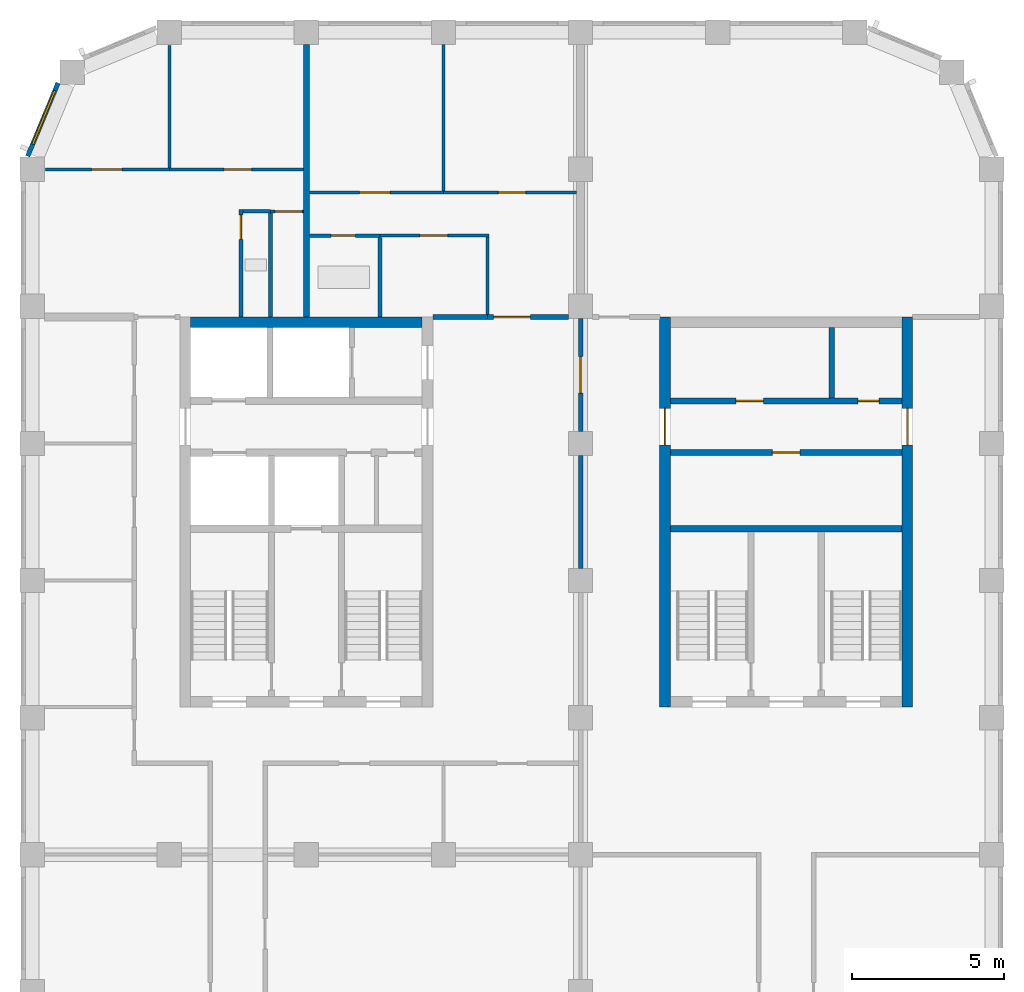
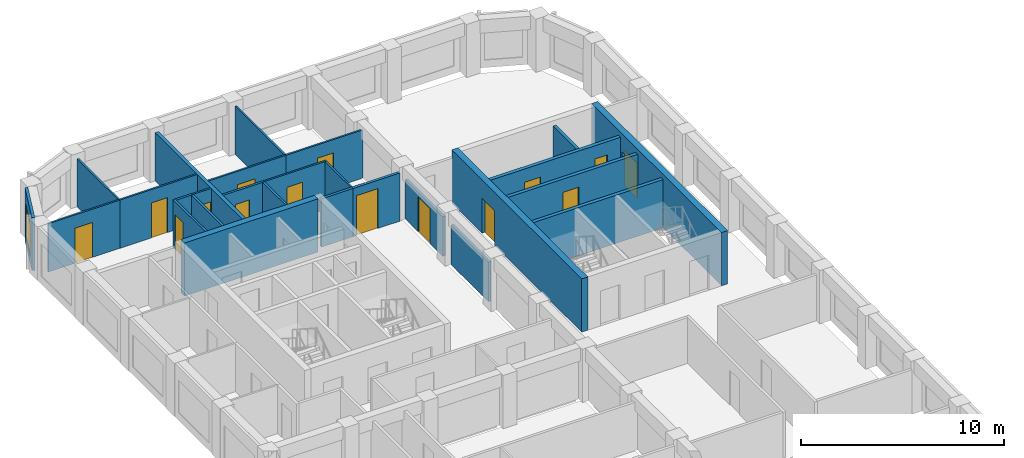
# One storey, part 6 of 9: 27 walls, 15 doors, 1 window, 16 openings.
"""IFC4 building model written with IfcOpenShell, lengths in metres."""

import ifcopenshell
import ifcopenshell.guid

model = None  # the IFC model being written
_history = None  # IfcOwnerHistory: only IFC2X3 demands one
_inside = {}  # id of a spatial element -> (the spatial element, [elements in it])
_under = {}  # id of a project, library or spatial element -> (it, [spatial elements below it])
_declared = {}  # id of a project -> (the project, [libraries it declares])
_typed = {}  # id of a type object -> (the type object, [elements of that type])
_made_of = {}  # id of a material, layer set ... -> (it, [elements and type objects made of it])


def new_model(schema):
    """Start an empty IFC model of exactly this schema.

    Asked for "IFC4X3", IfcOpenShell would pick the latest addendum, in which some entities
    have other attributes; the version numbers below select the first issue.
    IFC2X3 requires an IfcOwnerHistory on every rooted entity: one is made here for all.
    """
    global model, _history
    if schema == "IFC4X3":
        model = ifcopenshell.file(schema_version=(4, 3, 0, 0))
    else:
        model = ifcopenshell.file(schema=schema)
    _inside.clear()
    _under.clear()
    _declared.clear()
    _typed.clear()
    _made_of.clear()
    _history = None
    if model.schema == "IFC2X3":
        org = make("IfcOrganization", Name="unknown")
        user = make(
            "IfcPersonAndOrganization",
            ThePerson=make("IfcPerson", FamilyName="unknown"),
            TheOrganization=org,
        )
        app = make(
            "IfcApplication",
            ApplicationDeveloper=org,
            Version="unknown",
            ApplicationFullName="unknown",
            ApplicationIdentifier="unknown",
        )
        _history = make(
            "IfcOwnerHistory",
            OwningUser=user,
            OwningApplication=app,
            ChangeAction="ADDED",
            CreationDate=0,
        )
    return model


def make(cls, **values):
    """One entity of the class cls with the attributes given. An attribute that is None is left unset."""
    return model.create_entity(
        cls, **{name: value for name, value in values.items() if value is not None}
    )


def rooted(cls, **values):
    """An entity with a GlobalId (a new one), such as an element, a storey or a relation."""
    return make(cls, GlobalId=ifcopenshell.guid.new(), OwnerHistory=_history, **values)


def si_unit(unit_type, name, prefix=None):
    """IfcSIUnit, for example si_unit("LENGTHUNIT", "METRE", prefix="MILLI")."""
    return make("IfcSIUnit", UnitType=unit_type, Prefix=prefix, Name=name)


def assignment(units):
    """IfcUnitAssignment: the units of a project."""
    return None if units is None else make("IfcUnitAssignment", Units=units)


def point(xyz):
    """IfcCartesianPoint."""
    return None if xyz is None else make("IfcCartesianPoint", Coordinates=xyz)


def direction(xyz):
    """IfcDirection."""
    return None if xyz is None else make("IfcDirection", DirectionRatios=xyz)


def frame(location, z_axis=None, x_axis=None):
    """IfcAxis2Placement3D, a coordinate frame: its origin and axes. An axis left out is left unset."""
    return make(
        "IfcAxis2Placement3D",
        Location=point(location),
        Axis=direction(z_axis),
        RefDirection=direction(x_axis),
    )


def frame_2d(location, x_axis=None):
    """IfcAxis2Placement2D, a coordinate frame in the plane: its origin and x axis."""
    return make(
        "IfcAxis2Placement2D", Location=point(location), RefDirection=direction(x_axis)
    )


def origin():
    """The frame at (0, 0, 0) with its axes left unset."""
    return frame((0.0, 0.0, 0.0))


def place(relative_to, where):
    """IfcLocalPlacement: puts the frame where relative to a parent placement (None: the world)."""
    return make(
        "IfcLocalPlacement", PlacementRelTo=relative_to, RelativePlacement=where
    )


def context(
    kind, dimensions, precision=None, world=None, true_north=None, identifier=None
):
    """IfcGeometricRepresentationContext, for example the 3D "Model" context."""
    return make(
        "IfcGeometricRepresentationContext",
        ContextIdentifier=identifier,
        ContextType=kind,
        CoordinateSpaceDimension=dimensions,
        Precision=precision,
        WorldCoordinateSystem=world,
        TrueNorth=true_north,
    )


def subcontext(parent, identifier, kind, view, scale=None):
    """IfcGeometricRepresentationSubContext, for example "Body" below "Model"."""
    return make(
        "IfcGeometricRepresentationSubContext",
        ContextIdentifier=identifier,
        ContextType=kind,
        ParentContext=parent,
        TargetScale=scale,
        TargetView=view,
    )


def project(units=None, contexts=None):
    """IfcProject with its units and contexts."""
    return rooted(
        "IfcProject",
        Name="project",
        RepresentationContexts=contexts,
        UnitsInContext=assignment(units),
    )


def spatial(cls, under=None, at=None, **own):
    """A site, building, storey or space (cls), placed at a placement, below another one or the project."""
    s = rooted(cls, ObjectPlacement=at, **own)
    if under is not None:
        _under.setdefault(under.id(), (under, []))[1].append(s)
    return s


def profile(cls, at=None, kind="AREA", **sizes):
    """A parametric profile (cls). Its sizes go by their IFC names, for example OverallWidth=200.0."""
    return make(cls, ProfileType=kind, Position=at, **sizes)


def rectangle(**sizes):
    """IfcRectangleProfileDef."""
    return profile("IfcRectangleProfileDef", **sizes)


def extrude(swept, where, along, depth):
    """IfcExtrudedAreaSolid: the profile swept, set in the frame where, extruded along a direction by depth."""
    return make(
        "IfcExtrudedAreaSolid",
        SweptArea=swept,
        Position=where,
        ExtrudedDirection=direction(along),
        Depth=depth,
    )


def shape(context_of_items, identifier, shape_type, items):
    """IfcShapeRepresentation: the items that make up one representation, for example the "Body"."""
    return make(
        "IfcShapeRepresentation",
        ContextOfItems=context_of_items,
        RepresentationIdentifier=identifier,
        RepresentationType=shape_type,
        Items=items,
    )


def material(Name=None, Category=None):
    """IfcMaterial."""
    return make("IfcMaterial", Name=Name, Category=Category)


def layer(
    of_material, thickness, ventilated=None, Name=None, Category=None, Priority=None
):
    """IfcMaterialLayer: one layer of a wall or slab, of a material (None: an air gap)."""
    return make(
        "IfcMaterialLayer",
        Material=of_material,
        LayerThickness=thickness,
        IsVentilated=ventilated,
        Name=Name,
        Category=Category,
        Priority=Priority,
    )


def layer_set(layers, Name=None):
    """IfcMaterialLayerSet."""
    return make("IfcMaterialLayerSet", MaterialLayers=layers, LayerSetName=Name)


def made_of(thing, what):
    """Note that an element or type object is made of a material, layer set ...; save() writes the relation."""
    if what is not None:
        _made_of.setdefault(what.id(), (what, []))[1].append(thing)
    return thing


def type_object(cls, material=None, **own):
    """A type object (cls), such as IfcWallType, which elements share."""
    return made_of(rooted(cls, **own), material)


def element(
    cls,
    number,
    at=None,
    inside=None,
    cuts=None,
    type_object=None,
    material=None,
    context=None,
    identifier="Body",
    shape_type=None,
    held_by="IfcProductDefinitionShape",
    body=None,
    shapes=None,
    **own,
):
    """One element of the class cls, such as IfcWall. Its Tag is "e" and its number.

    at: its placement. inside: the storey or other place that contains it. cuts: it is an
    opening in that element (IfcRelVoidsElement). A single representation is given by context,
    identifier, shape_type and body (its items); several are given by shapes. held_by: the class
    of the entity that holds the representations. save() writes the other relations.
    """
    e = rooted(cls, Tag="e%d" % number, ObjectPlacement=at, **own)
    if body is not None:
        shapes = [shape(context, identifier, shape_type, body)]
    if shapes is not None:
        e.Representation = make(held_by, Representations=shapes)
    if inside is not None:
        _inside.setdefault(inside.id(), (inside, []))[1].append(e)
    if cuts is not None:
        rooted(
            "IfcRelVoidsElement", RelatingBuildingElement=cuts, RelatedOpeningElement=e
        )
    if type_object is not None:
        _typed.setdefault(type_object.id(), (type_object, []))[1].append(e)
    return made_of(e, material)


def fill(opening, filler):
    """IfcRelFillsElement: the door or window that sits in an opening."""
    return rooted(
        "IfcRelFillsElement",
        RelatingOpeningElement=opening,
        RelatedBuildingElement=filler,
    )


def aggregate(whole, parts):
    """IfcRelAggregates: a whole, such as a stair, and the parts it consists of."""
    return rooted("IfcRelAggregates", RelatingObject=whole, RelatedObjects=parts)


def save(model, path):
    """Write the relations noted so far, then the file.

    IfcRelAggregates (storeys below a building ...), IfcRelContainedInSpatialStructure (elements
    in a storey), IfcRelDefinesByType, IfcRelAssociatesMaterial and IfcRelDeclares: one each for
    every whole, place, type object, material and project.
    """
    for whole, parts in _under.values():
        aggregate(whole, parts)
    for where, things in _inside.values():
        rooted(
            "IfcRelContainedInSpatialStructure",
            RelatedElements=things,
            RelatingStructure=where,
        )
    for kind, things in _typed.values():
        rooted("IfcRelDefinesByType", RelatedObjects=things, RelatingType=kind)
    for what, things in _made_of.values():
        rooted("IfcRelAssociatesMaterial", RelatedObjects=things, RelatingMaterial=what)
    for by, libraries in _declared.values():
        rooted("IfcRelDeclares", RelatingContext=by, RelatedDefinitions=libraries)
    model.write(path)


model = new_model("IFC4")

# Units and contexts
model_context = context("Model", 3, precision=1e-05, world=origin(), true_north=direction((0.0, 1.0)))
body_context = subcontext(model_context, "Body", "Model", "MODEL_VIEW")
ifc_project = project(units=[si_unit("LENGTHUNIT", "METRE"), si_unit("AREAUNIT", "SQUARE_METRE"), si_unit("VOLUMEUNIT", "CUBIC_METRE"), si_unit("PLANEANGLEUNIT", "RADIAN"), si_unit("MASSUNIT", "GRAM", prefix="KILO")], contexts=[model_context])

# Site, building, storey
site_placement = place(None, origin())
site = spatial("IfcSite", under=ifc_project, at=site_placement, CompositionType="ELEMENT")
building_placement = place(site_placement, origin())
building = spatial("IfcBuilding", under=site, at=building_placement, Name="Girih Gate Residences", CompositionType="ELEMENT")
storey_placement = place(building_placement, frame((0.0, 0.0, 226.094970703125)))
storey = spatial("IfcBuildingStorey", under=building, at=storey_placement, Name="L63", CompositionType="ELEMENT", Elevation=226.094970703125)

# Wall, opening, door
ifc_material_1 = material(Name="Gypsum board on steel studs", Category="steel")
ifc_layer_1 = layer(ifc_material_1, 0.14990234375)
ifc_layer_set_1 = layer_set([ifc_layer_1], Name="Compartment wall 150 mm")
wall_type_1 = type_object("IfcWallType", Name="Compartment wall 150 mm", PredefinedType="PARTITIONING", material=ifc_layer_set_1)
wall_1_placement = place(storey_placement, frame((14.949951171875, 40.14990234375, 0.0), z_axis=(0.0, 0.0, 1.0), x_axis=(1.0, 0.0, 0.0)))
wall_1 = element("IfcWall", 1, at=wall_1_placement, inside=storey, type_object=wall_type_1, Name="L63 partition", PredefinedType="PARTITIONING", context=body_context, shape_type="SweptSolid", body=[
    extrude(rectangle(XDim=2.650146484375, YDim=0.14990234375, at=frame_2d((1.3251953125, 0.0))), origin(), (0.0, 0.0, 1.0), 2.900146484375),
])
opening_1_placement = place(wall_1_placement, frame((0.199951171875, 0.0, 0.0)))
opening_1 = element("IfcOpeningElement", 2, at=opening_1_placement, cuts=wall_1, Name="Opening A63-017", PredefinedType="OPENING", context=body_context, shape_type="SweptSolid", body=[
    extrude(rectangle(XDim=1.199951171875, YDim=2.39990234375, at=frame_2d((0.60009765625, 1.199951171875))), frame((0.0, 0.0849609375, 0.0), z_axis=(0.0, -1.0, 0.0), x_axis=(1.0, 0.0, 0.0)), (0.0, 0.0, 1.0), 0.169921875),
])
ifc_material_2 = material(Name="Timber, fire-rated core", Category="wood")
door_type_1 = type_object("IfcDoorType", Name="Villa entrance door 1200x2400 FD30S", OperationType="NOTDEFINED", PredefinedType="DOOR", material=ifc_material_2)
door_1_placement = place(opening_1_placement, origin())
door_1 = element("IfcDoor", 3, at=door_1_placement, inside=storey, type_object=door_type_1, Name="Door A63-017", OperationType="SINGLE_SWING_LEFT", OverallHeight=2.39990234375, OverallWidth=1.199951171875, PredefinedType="DOOR", context=body_context, shape_type="SweptSolid", body=[
    extrude(rectangle(XDim=1.199951171875, YDim=2.39990234375, at=frame_2d((0.60009765625, 1.199951171875))), frame((0.0, 0.02490234375, 0.0), z_axis=(0.0, -1.0, 0.0), x_axis=(1.0, 0.0, 0.0)), (0.0, 0.0, 1.0), 0.050048828125),
])
fill(opening_1, door_1)

# Walls
wall_2_placement = place(storey_placement, frame((13.14990234375, 40.14990234375, 0.0), z_axis=(0.0, 0.0, 1.0), x_axis=(1.0, 0.0, 0.0)))
element("IfcWall", 4, at=wall_2_placement, inside=storey, type_object=wall_type_1, Name="L63 partition", PredefinedType="PARTITIONING", context=body_context, shape_type="SweptSolid", body=[
    extrude(rectangle(XDim=1.800048828125, YDim=0.14990234375, at=frame_2d((0.89990234375, 0.0))), origin(), (0.0, 0.0, 1.0), 2.900146484375),
])
wall_3_placement = place(storey_placement, frame((18.0, 31.89990234375, 0.0), z_axis=(0.0, 0.0, 1.0), x_axis=(0.0, 1.0, 0.0)))
element("IfcWall", 5, at=wall_3_placement, inside=storey, type_object=wall_type_1, Name="L63 partition", PredefinedType="PARTITIONING", context=body_context, shape_type="SweptSolid", body=[
    extrude(rectangle(XDim=3.7001953125, YDim=0.14990234375, at=frame_2d((1.85009765625, 0.0))), origin(), (0.0, 0.0, 1.0), 2.380126953125),
])

# Wall, opening, door
wall_4_placement = place(storey_placement, frame((18.0, 40.10009765625, 0.0), z_axis=(0.0, 0.0, 1.0), x_axis=(0.0, -1.0, 0.0)))
wall_4 = element("IfcWall", 6, at=wall_4_placement, inside=storey, type_object=wall_type_1, Name="L63 partition", PredefinedType="PARTITIONING", context=body_context, shape_type="SweptSolid", body=[
    extrude(rectangle(XDim=3.7001953125, YDim=0.14990234375, at=frame_2d((1.85009765625, 0.0))), origin(), (0.0, 0.0, 1.0), 2.380126953125),
])
opening_2_placement = place(wall_4_placement, frame((1.25, 0.0, 0.0)))
opening_2 = element("IfcOpeningElement", 7, at=opening_2_placement, cuts=wall_4, Name="Opening A63-026", PredefinedType="OPENING", context=body_context, shape_type="SweptSolid", body=[
    extrude(rectangle(XDim=1.199951171875, YDim=2.10009765625, at=frame_2d((0.60009765625, 1.050048828125))), frame((0.0, 0.0849609375, 0.0), z_axis=(0.0, -1.0, 0.0), x_axis=(1.0, 0.0, 0.0)), (0.0, 0.0, 1.0), 0.169921875),
])
door_type_2 = type_object("IfcDoorType", Name="Corridor fire door 1200x2100 FD30S", OperationType="NOTDEFINED", PredefinedType="DOOR", material=ifc_material_2)
door_2_placement = place(opening_2_placement, origin())
door_2 = element("IfcDoor", 8, at=door_2_placement, inside=storey, type_object=door_type_2, Name="Door A63-026", OperationType="SINGLE_SWING_LEFT", OverallHeight=2.10009765625, OverallWidth=1.199951171875, PredefinedType="DOOR", context=body_context, shape_type="SweptSolid", body=[
    extrude(rectangle(XDim=1.199951171875, YDim=2.10009765625, at=frame_2d((0.60009765625, 1.050048828125))), frame((0.0, 0.02490234375, 0.0), z_axis=(0.0, -1.0, 0.0), x_axis=(1.0, 0.0, 0.0)), (0.0, 0.0, 1.0), 0.050048828125),
])
fill(opening_2, door_2)

# Wall
ifc_material_3 = material(Name="Concrete C60/75", Category="concrete")
ifc_layer_2 = layer(ifc_material_3, 0.35009765625)
ifc_layer_set_2 = layer_set([ifc_layer_2], Name="Core wall RC 350 Concrete C60/75")
wall_type_2 = type_object("IfcWallType", Name="Core wall RC 350 Concrete C60/75", PredefinedType="SOLIDWALL", material=ifc_layer_set_2)
wall_5_placement = place(storey_placement, frame((5.199951171875, 39.97509765625, 0.0), z_axis=(0.0, 0.0, 1.0), x_axis=(1.0, 0.0, 0.0)))
element("IfcWall", 9, at=wall_5_placement, inside=storey, type_object=wall_type_2, Name="Core wall W-N L63", PredefinedType="SOLIDWALL", context=body_context, shape_type="SweptSolid", body=[
    extrude(rectangle(XDim=7.60009765625, YDim=0.35009765625, at=frame_2d((3.800048828125, 0.0))), origin(), (0.0, 0.0, 1.0), 3.199951171875),
])

# Wall, opening, door
ifc_layer_3 = layer(ifc_material_1, 0.10009765625)
ifc_layer_set_3 = layer_set([ifc_layer_3], Name="Partition 100 mm")
wall_type_3 = type_object("IfcWallType", Name="Partition 100 mm", PredefinedType="PARTITIONING", material=ifc_layer_set_3)
wall_6_placement = place(storey_placement, frame((4.5, 45.0, 0.0), z_axis=(0.0, 0.0, 1.0), x_axis=(1.0, 0.0, 0.0)))
wall_6 = element("IfcWall", 10, at=wall_6_placement, inside=storey, type_object=wall_type_3, Name="L63 partition", PredefinedType="PARTITIONING", context=body_context, shape_type="SweptSolid", body=[
    extrude(rectangle(XDim=4.39990234375, YDim=0.10009765625, at=frame_2d((2.199951171875, 0.0))), origin(), (0.0, 0.0, 1.0), 2.900146484375),
])
opening_3_placement = place(wall_6_placement, frame((1.800048828125, 0.0, 0.0)))
opening_3 = element("IfcOpeningElement", 11, at=opening_3_placement, cuts=wall_6, Name="Opening A63-009", PredefinedType="OPENING", context=body_context, shape_type="SweptSolid", body=[
    extrude(rectangle(XDim=0.89990234375, YDim=2.10009765625, at=frame_2d((0.449951171875, 1.050048828125))), frame((0.0, 0.06005859375, 0.0), z_axis=(0.0, -1.0, 0.0), x_axis=(1.0, 0.0, 0.0)), (0.0, 0.0, 1.0), 0.1201171875),
])
ifc_material_4 = material(Name="Timber", Category="wood")
door_type_3 = type_object("IfcDoorType", Name="Bedroom door 900x2100", OperationType="NOTDEFINED", PredefinedType="DOOR", material=ifc_material_4)
door_3_placement = place(opening_3_placement, origin())
door_3 = element("IfcDoor", 12, at=door_3_placement, inside=storey, type_object=door_type_3, Name="Door A63-009", OperationType="SINGLE_SWING_RIGHT", OverallHeight=2.10009765625, OverallWidth=0.89990234375, PredefinedType="DOOR", context=body_context, shape_type="SweptSolid", body=[
    extrude(rectangle(XDim=0.89990234375, YDim=2.10009765625, at=frame_2d((0.449951171875, 1.050048828125))), frame((0.0, 0.02490234375, 0.0), z_axis=(0.0, -1.0, 0.0), x_axis=(1.0, 0.0, 0.0)), (0.0, 0.0, 1.0), 0.050048828125),
])
fill(opening_3, door_3)

# Wall
wall_7_placement = place(storey_placement, frame((4.5, 45.050048828125, 0.0), z_axis=(0.0, 0.0, 1.0), x_axis=(0.0, 1.0, 0.0)))
element("IfcWall", 13, at=wall_7_placement, inside=storey, type_object=wall_type_3, Name="L63 partition", PredefinedType="PARTITIONING", context=body_context, shape_type="SweptSolid", body=[
    extrude(rectangle(XDim=4.01708984375, YDim=0.10009765625, at=frame_2d((2.008544921875, 0.0))), origin(), (0.0, 0.0, 1.0), 2.900146484375),
])

# Wall, opening, door
wall_8_placement = place(storey_placement, frame((8.89990234375, 43.6201171875, 0.0), z_axis=(0.0, 0.0, 1.0), x_axis=(-1.0, 0.0, 0.0)))
wall_8 = element("IfcWall", 14, at=wall_8_placement, inside=storey, type_object=wall_type_3, Name="L63 partition", PredefinedType="PARTITIONING", context=body_context, shape_type="SweptSolid", body=[
    extrude(rectangle(XDim=1.072509765625, YDim=0.10009765625, at=frame_2d((0.5361328125, 0.0))), origin(), (0.0, 0.0, 1.0), 2.900146484375),
])
opening_4_placement = place(wall_8_placement, frame((0.036376953125, 0.0, 0.0)))
opening_4 = element("IfcOpeningElement", 15, at=opening_4_placement, cuts=wall_8, Name="Opening A63-010", PredefinedType="OPENING", context=body_context, shape_type="SweptSolid", body=[
    extrude(rectangle(XDim=0.89990234375, YDim=2.10009765625, at=frame_2d((0.449951171875, 1.050048828125))), frame((0.0, 0.06005859375, 0.0), z_axis=(0.0, -1.0, 0.0), x_axis=(1.0, 0.0, 0.0)), (0.0, 0.0, 1.0), 0.1201171875),
])
door_type_4 = type_object("IfcDoorType", Name="Kitchen door 900x2100", OperationType="NOTDEFINED", PredefinedType="DOOR", material=ifc_material_4)
door_4_placement = place(opening_4_placement, origin())
door_4 = element("IfcDoor", 16, at=door_4_placement, inside=storey, type_object=door_type_4, Name="Door A63-010", OperationType="SINGLE_SWING_LEFT", OverallHeight=2.10009765625, OverallWidth=0.89990234375, PredefinedType="DOOR", context=body_context, shape_type="SweptSolid", body=[
    extrude(rectangle(XDim=0.89990234375, YDim=2.10009765625, at=frame_2d((0.449951171875, 1.050048828125))), frame((0.0, 0.02490234375, 0.0), z_axis=(0.0, -1.0, 0.0), x_axis=(1.0, 0.0, 0.0)), (0.0, 0.0, 1.0), 0.050048828125),
])
fill(opening_4, door_4)

wall_9_placement = place(storey_placement, frame((0.432861328125, 45.0, 0.0), z_axis=(0.0, 0.0, 1.0), x_axis=(1.0, 0.0, 0.0)))
wall_9 = element("IfcWall", 17, at=wall_9_placement, inside=storey, type_object=wall_type_3, Name="L63 partition", PredefinedType="PARTITIONING", context=body_context, shape_type="SweptSolid", body=[
    extrude(rectangle(XDim=4.067138671875, YDim=0.10009765625, at=frame_2d((2.03369140625, 0.0))), origin(), (0.0, 0.0, 1.0), 2.900146484375),
])
opening_5_placement = place(wall_9_placement, frame((1.51708984375, 0.0, 0.0)))
opening_5 = element("IfcOpeningElement", 18, at=opening_5_placement, cuts=wall_9, Name="Opening A63-011", PredefinedType="OPENING", context=body_context, shape_type="SweptSolid", body=[
    extrude(rectangle(XDim=1.0, YDim=2.10009765625, at=frame_2d((0.5, 1.050048828125))), frame((0.0, 0.06005859375, 0.0), z_axis=(0.0, -1.0, 0.0), x_axis=(1.0, 0.0, 0.0)), (0.0, 0.0, 1.0), 0.1201171875),
])
door_type_5 = type_object("IfcDoorType", Name="Living room door 1000x2100", OperationType="NOTDEFINED", PredefinedType="DOOR", material=ifc_material_4)
door_5_placement = place(opening_5_placement, origin())
door_5 = element("IfcDoor", 19, at=door_5_placement, inside=storey, type_object=door_type_5, Name="Door A63-011", OperationType="SINGLE_SWING_LEFT", OverallHeight=2.10009765625, OverallWidth=1.0, PredefinedType="DOOR", context=body_context, shape_type="SweptSolid", body=[
    extrude(rectangle(XDim=1.0, YDim=2.10009765625, at=frame_2d((0.5, 1.050048828125))), frame((0.0, 0.02490234375, 0.0), z_axis=(0.0, -1.0, 0.0), x_axis=(1.0, 0.0, 0.0)), (0.0, 0.0, 1.0), 0.050048828125),
])
fill(opening_5, door_5)

wall_10_placement = place(storey_placement, frame((13.5, 44.239990234375, 0.0), z_axis=(0.0, 0.0, 1.0), x_axis=(1.0, 0.0, 0.0)))
wall_10 = element("IfcWall", 20, at=wall_10_placement, inside=storey, type_object=wall_type_3, Name="L63 partition", PredefinedType="PARTITIONING", context=body_context, shape_type="SweptSolid", body=[
    extrude(rectangle(XDim=4.375, YDim=0.10009765625, at=frame_2d((2.1875, 0.0))), origin(), (0.0, 0.0, 1.0), 2.900146484375),
])
opening_6_placement = place(wall_10_placement, frame((1.800048828125, 0.0, 0.0)))
opening_6 = element("IfcOpeningElement", 21, at=opening_6_placement, cuts=wall_10, Name="Opening A63-014", PredefinedType="OPENING", context=body_context, shape_type="SweptSolid", body=[
    extrude(rectangle(XDim=0.89990234375, YDim=2.10009765625, at=frame_2d((0.449951171875, 1.050048828125))), frame((0.0, 0.06005859375, 0.0), z_axis=(0.0, -1.0, 0.0), x_axis=(1.0, 0.0, 0.0)), (0.0, 0.0, 1.0), 0.1201171875),
])
door_6_placement = place(opening_6_placement, origin())
door_6 = element("IfcDoor", 22, at=door_6_placement, inside=storey, type_object=door_type_3, Name="Door A63-014", OperationType="SINGLE_SWING_RIGHT", OverallHeight=2.10009765625, OverallWidth=0.89990234375, PredefinedType="DOOR", context=body_context, shape_type="SweptSolid", body=[
    extrude(rectangle(XDim=0.89990234375, YDim=2.10009765625, at=frame_2d((0.449951171875, 1.050048828125))), frame((0.0, 0.02490234375, 0.0), z_axis=(0.0, -1.0, 0.0), x_axis=(1.0, 0.0, 0.0)), (0.0, 0.0, 1.0), 0.050048828125),
])
fill(opening_6, door_6)

# Walls
wall_11_placement = place(storey_placement, frame((13.5, 44.2900390625, 0.0), z_axis=(0.0, 0.0, 1.0), x_axis=(0.0, 1.0, 0.0)))
element("IfcWall", 23, at=wall_11_placement, inside=storey, type_object=wall_type_3, Name="L63 partition", PredefinedType="PARTITIONING", context=body_context, shape_type="SweptSolid", body=[
    extrude(rectangle(XDim=4.81005859375, YDim=0.10009765625, at=frame_2d((2.405029296875, 0.0))), origin(), (0.0, 0.0, 1.0), 2.900146484375),
])
wall_12_placement = place(storey_placement, frame((14.949951171875, 40.22509765625, 0.0), z_axis=(0.0, 0.0, 1.0), x_axis=(0.0, 1.0, 0.0)))
element("IfcWall", 24, at=wall_12_placement, inside=storey, type_object=wall_type_3, Name="L63 partition", PredefinedType="PARTITIONING", context=body_context, shape_type="SweptSolid", body=[
    extrude(rectangle(XDim=2.544921875, YDim=0.10009765625, at=frame_2d((1.2724609375, 0.0))), origin(), (0.0, 0.0, 1.0), 2.900146484375),
])

# Wall, opening, door
wall_13_placement = place(storey_placement, frame((15.0, 42.820068359375, 0.0), z_axis=(0.0, 0.0, 1.0), x_axis=(-1.0, 0.0, 0.0)))
wall_13 = element("IfcWall", 25, at=wall_13_placement, inside=storey, type_object=wall_type_3, Name="L63 partition", PredefinedType="PARTITIONING", context=body_context, shape_type="SweptSolid", body=[
    extrude(rectangle(XDim=3.581787109375, YDim=0.10009765625, at=frame_2d((1.791015625, 0.0))), origin(), (0.0, 0.0, 1.0), 2.900146484375),
])
opening_7_placement = place(wall_13_placement, frame((1.365966796875, 0.0, 0.0)))
opening_7 = element("IfcOpeningElement", 26, at=opening_7_placement, cuts=wall_13, Name="Opening A63-015", PredefinedType="OPENING", context=body_context, shape_type="SweptSolid", body=[
    extrude(rectangle(XDim=0.89990234375, YDim=2.10009765625, at=frame_2d((0.449951171875, 1.050048828125))), frame((0.0, 0.06005859375, 0.0), z_axis=(0.0, -1.0, 0.0), x_axis=(1.0, 0.0, 0.0)), (0.0, 0.0, 1.0), 0.1201171875),
])
door_7_placement = place(opening_7_placement, origin())
door_7 = element("IfcDoor", 27, at=door_7_placement, inside=storey, type_object=door_type_4, Name="Door A63-015", OperationType="SINGLE_SWING_RIGHT", OverallHeight=2.10009765625, OverallWidth=0.89990234375, PredefinedType="DOOR", context=body_context, shape_type="SweptSolid", body=[
    extrude(rectangle(XDim=0.89990234375, YDim=2.10009765625, at=frame_2d((0.449951171875, 1.050048828125))), frame((0.0, 0.02490234375, 0.0), z_axis=(0.0, -1.0, 0.0), x_axis=(1.0, 0.0, 0.0)), (0.0, 0.0, 1.0), 0.050048828125),
])
fill(opening_7, door_7)

wall_14_placement = place(storey_placement, frame((9.10009765625, 44.239990234375, 0.0), z_axis=(0.0, 0.0, 1.0), x_axis=(1.0, 0.0, 0.0)))
wall_14 = element("IfcWall", 28, at=wall_14_placement, inside=storey, type_object=wall_type_3, Name="L63 partition", PredefinedType="PARTITIONING", context=body_context, shape_type="SweptSolid", body=[
    extrude(rectangle(XDim=4.39990234375, YDim=0.10009765625, at=frame_2d((2.199951171875, 0.0))), origin(), (0.0, 0.0, 1.0), 2.900146484375),
])
opening_8_placement = place(wall_14_placement, frame((1.64990234375, 0.0, 0.0)))
opening_8 = element("IfcOpeningElement", 29, at=opening_8_placement, cuts=wall_14, Name="Opening A63-016", PredefinedType="OPENING", context=body_context, shape_type="SweptSolid", body=[
    extrude(rectangle(XDim=1.0, YDim=2.10009765625, at=frame_2d((0.5, 1.050048828125))), frame((0.0, 0.06005859375, 0.0), z_axis=(0.0, -1.0, 0.0), x_axis=(1.0, 0.0, 0.0)), (0.0, 0.0, 1.0), 0.1201171875),
])
door_8_placement = place(opening_8_placement, origin())
door_8 = element("IfcDoor", 30, at=door_8_placement, inside=storey, type_object=door_type_5, Name="Door A63-016", OperationType="SINGLE_SWING_LEFT", OverallHeight=2.10009765625, OverallWidth=1.0, PredefinedType="DOOR", context=body_context, shape_type="SweptSolid", body=[
    extrude(rectangle(XDim=1.0, YDim=2.10009765625, at=frame_2d((0.5, 1.050048828125))), frame((0.0, 0.02490234375, 0.0), z_axis=(0.0, -1.0, 0.0), x_axis=(1.0, 0.0, 0.0)), (0.0, 0.0, 1.0), 0.050048828125),
])
fill(opening_8, door_8)

# Wall
ifc_layer_4 = layer(ifc_material_1, 0.199951171875)
ifc_layer_set_4 = layer_set([ifc_layer_4], Name="Party wall 200 mm")
wall_type_4 = type_object("IfcWallType", Name="Party wall 200 mm", PredefinedType="PARTITIONING", material=ifc_layer_set_4)
wall_15_placement = place(storey_placement, frame((9.0, 40.14990234375, 0.0), z_axis=(0.0, 0.0, 1.0), x_axis=(0.0, 1.0, 0.0)))
element("IfcWall", 31, at=wall_15_placement, inside=storey, type_object=wall_type_4, Name="L63 partition", PredefinedType="PARTITIONING", context=body_context, shape_type="SweptSolid", body=[
    extrude(rectangle(XDim=8.9501953125, YDim=0.199951171875, at=frame_2d((4.47509765625, 0.0))), origin(), (0.0, 0.0, 1.0), 2.900146484375),
])

# Wall, opening, window
ifc_material_5 = material(Name="Precast concrete C50/60", Category="concrete")
ifc_layer_5 = layer(ifc_material_5, 0.050048828125, Name="Outer leaf")
ifc_material_6 = material(Name="Rigid PIR insulation")
ifc_layer_6 = layer(ifc_material_6, 0.06005859375, Name="Insulation")
ifc_material_7 = material(Name="Precast concrete C40/50", Category="concrete")
ifc_layer_7 = layer(ifc_material_7, 0.0400390625, Name="Inner leaf")
ifc_layer_set_5 = layer_set([ifc_layer_5, ifc_layer_6, ifc_layer_7], Name="Precast concrete C50/60 external wall 150")
wall_type_5 = type_object("IfcWallType", Name="Precast concrete C50/60 external wall 150", PredefinedType="SOLIDWALL", material=ifc_layer_set_5)
wall_16_placement = place(storey_placement, frame((-0.147216796875, 45.4287109375, 0.0), z_axis=(0.0, 0.0, 1.0), x_axis=(0.382669406082, 0.923885342263, 0.0)))
wall_16 = element("IfcWall", 32, at=wall_16_placement, inside=storey, type_object=wall_type_5, Name="External wall NW0013_0482.0", PredefinedType="SOLIDWALL", context=body_context, shape_type="SweptSolid", body=[
    extrude(rectangle(XDim=2.602294921875, YDim=0.14990234375, at=frame_2d((1.30126953125, 0.0))), origin(), (0.0, 0.0, 1.0), 3.199951171875),
])
opening_9_placement = place(wall_16_placement, frame((0.432373046875, 0.0, 0.449951171875)))
opening_9 = element("IfcOpeningElement", 33, at=opening_9_placement, cuts=wall_16, Name="Opening W-2G", PredefinedType="OPENING", context=body_context, shape_type="SweptSolid", body=[
    extrude(rectangle(XDim=1.89990234375, YDim=1.949951171875, at=frame_2d((0.949951171875, 0.97509765625))), frame((0.0, 0.0849609375, 0.0), z_axis=(0.0, -1.0, 0.0), x_axis=(1.0, 0.0, 0.0)), (0.0, 0.0, 1.0), 0.169921875),
])
ifc_material_8 = material(Name="Double glazing in aluminium frame", Category="aluminium")
window_type = type_object("IfcWindowType", Name="Window W-2G 1900x1950", PartitioningType="SINGLE_PANEL", PredefinedType="WINDOW", material=ifc_material_8)
window_placement = place(opening_9_placement, origin())
window = element("IfcWindow", 34, at=window_placement, inside=storey, type_object=window_type, Name="Window W-2G NW0013_0482.0", OverallHeight=1.949951171875, OverallWidth=1.89990234375, PartitioningType="SINGLE_PANEL", PredefinedType="WINDOW", context=body_context, shape_type="SweptSolid", body=[
    extrude(rectangle(XDim=1.89990234375, YDim=1.949951171875, at=frame_2d((0.949951171875, 0.97509765625))), frame((0.0, 0.030029296875, 0.0), z_axis=(0.0, -1.0, 0.0), x_axis=(1.0, 0.0, 0.0)), (0.0, 0.0, 1.0), 0.06005859375),
])
fill(opening_9, window)

# Walls
ifc_material_9 = material(Name="Concrete C40/50", Category="concrete")
ifc_layer_8 = layer(ifc_material_9, 0.175048828125)
ifc_layer_set_6 = layer_set([ifc_layer_8], Name="Riser shaft wall 175")
wall_type_6 = type_object("IfcWallType", Name="Riser shaft wall 175", PredefinedType="SOLIDWALL", material=ifc_layer_set_6)
wall_17_placement = place(storey_placement, frame((26.25, 37.5, 0.0), z_axis=(0.0, 0.0, 1.0), x_axis=(0.0, 1.0, 0.0)))
element("IfcWall", 35, at=wall_17_placement, inside=storey, type_object=wall_type_6, Name="L63 C core wall V2c", PredefinedType="SOLIDWALL", context=body_context, shape_type="SweptSolid", body=[
    extrude(rectangle(XDim=2.300048828125, YDim=0.175048828125, at=frame_2d((1.14990234375, 0.0))), origin(), (0.0, 0.0, 1.0), 2.900146484375),
])
ifc_layer_9 = layer(ifc_material_9, 0.199951171875)
ifc_layer_set_7 = layer_set([ifc_layer_9], Name="Shaft wall 200")
wall_type_7 = type_object("IfcWallType", Name="Shaft wall 200", PredefinedType="SOLIDWALL", material=ifc_layer_set_7)
wall_18_placement = place(storey_placement, frame((20.949951171875, 33.199951171875, 0.0), z_axis=(0.0, 0.0, 1.0), x_axis=(1.0, 0.0, 0.0)))
element("IfcWall", 36, at=wall_18_placement, inside=storey, type_object=wall_type_7, Name="L63 C core wall H1", PredefinedType="SOLIDWALL", context=body_context, shape_type="SweptSolid", body=[
    extrude(rectangle(XDim=7.60009765625, YDim=0.199951171875, at=frame_2d((3.800048828125, 0.0))), origin(), (0.0, 0.0, 1.0), 2.900146484375),
])

# Wall, opening, door
wall_19_placement = place(storey_placement, frame((20.949951171875, 35.699951171875, 0.0), z_axis=(0.0, 0.0, 1.0), x_axis=(1.0, 0.0, 0.0)))
wall_19 = element("IfcWall", 37, at=wall_19_placement, inside=storey, type_object=wall_type_7, Name="L63 C core wall H2", PredefinedType="SOLIDWALL", context=body_context, shape_type="SweptSolid", body=[
    extrude(rectangle(XDim=7.60009765625, YDim=0.199951171875, at=frame_2d((3.800048828125, 0.0))), origin(), (0.0, 0.0, 1.0), 2.900146484375),
])
opening_10_placement = place(wall_19_placement, frame((3.35009765625, 0.0, 0.0)))
opening_10 = element("IfcOpeningElement", 38, at=opening_10_placement, cuts=wall_19, Name="Opening D-L63-C-004", PredefinedType="OPENING", context=body_context, shape_type="SweptSolid", body=[
    extrude(rectangle(XDim=0.89990234375, YDim=2.10009765625, at=frame_2d((0.449951171875, 1.050048828125))), frame((0.0, 0.10986328125, 0.0), z_axis=(0.0, -1.0, 0.0), x_axis=(1.0, 0.0, 0.0)), (0.0, 0.0, 1.0), 0.219970703125),
])
ifc_material_10 = material(Name="Painted steel, fire-resisting", Category="steel")
door_type_6 = type_object("IfcDoorType", Name="Fire door 900x2100", OperationType="SINGLE_SWING_LEFT", PredefinedType="DOOR", material=ifc_material_10)
door_9_placement = place(opening_10_placement, origin())
door_9 = element("IfcDoor", 39, at=door_9_placement, inside=storey, type_object=door_type_6, Name="L63 C electrical room door", OperationType="SINGLE_SWING_LEFT", OverallHeight=2.10009765625, OverallWidth=0.89990234375, PredefinedType="DOOR", context=body_context, shape_type="SweptSolid", body=[
    extrude(rectangle(XDim=0.89990234375, YDim=2.10009765625, at=frame_2d((0.449951171875, 1.050048828125))), frame((0.0, 0.02490234375, 0.0), z_axis=(0.0, -1.0, 0.0), x_axis=(1.0, 0.0, 0.0)), (0.0, 0.0, 1.0), 0.050048828125),
])
fill(opening_10, door_9)

# Wall, openings, doors
wall_20_placement = place(storey_placement, frame((20.949951171875, 37.39990234375, 0.0), z_axis=(0.0, 0.0, 1.0), x_axis=(1.0, 0.0, 0.0)))
wall_20 = element("IfcWall", 40, at=wall_20_placement, inside=storey, type_object=wall_type_7, Name="L63 C core wall H3", PredefinedType="SOLIDWALL", context=body_context, shape_type="SweptSolid", body=[
    extrude(rectangle(XDim=7.60009765625, YDim=0.199951171875, at=frame_2d((3.800048828125, 0.0))), origin(), (0.0, 0.0, 1.0), 2.900146484375),
])
opening_11_placement = place(wall_20_placement, frame((6.14990234375, 0.0, 0.0)))
opening_11 = element("IfcOpeningElement", 41, at=opening_11_placement, cuts=wall_20, Name="Opening D-L63-C-003", PredefinedType="OPENING", context=body_context, shape_type="SweptSolid", body=[
    extrude(rectangle(XDim=0.699951171875, YDim=2.10009765625, at=frame_2d((0.35009765625, 1.050048828125))), frame((0.0, 0.10986328125, 0.0), z_axis=(0.0, -1.0, 0.0), x_axis=(1.0, 0.0, 0.0)), (0.0, 0.0, 1.0), 0.219970703125),
])
opening_12_placement = place(wall_20_placement, frame((2.14990234375, 0.0, 0.0)))
opening_12 = element("IfcOpeningElement", 42, at=opening_12_placement, cuts=wall_20, Name="Opening D-L63-C-005", PredefinedType="OPENING", context=body_context, shape_type="SweptSolid", body=[
    extrude(rectangle(XDim=0.89990234375, YDim=2.10009765625, at=frame_2d((0.449951171875, 1.050048828125))), frame((0.0, 0.10986328125, 0.0), z_axis=(0.0, -1.0, 0.0), x_axis=(1.0, 0.0, 0.0)), (0.0, 0.0, 1.0), 0.219970703125),
])
door_10_placement = place(opening_12_placement, origin())
door_10 = element("IfcDoor", 43, at=door_10_placement, inside=storey, type_object=door_type_6, Name="L63 C store door", OperationType="SINGLE_SWING_LEFT", OverallHeight=2.10009765625, OverallWidth=0.89990234375, PredefinedType="DOOR", context=body_context, shape_type="SweptSolid", body=[
    extrude(rectangle(XDim=0.89990234375, YDim=2.10009765625, at=frame_2d((0.449951171875, 1.050048828125))), frame((0.0, 0.02490234375, 0.0), z_axis=(0.0, -1.0, 0.0), x_axis=(1.0, 0.0, 0.0)), (0.0, 0.0, 1.0), 0.050048828125),
])
fill(opening_12, door_10)
door_type_7 = type_object("IfcDoorType", Name="Riser access door 700x2100", OperationType="SINGLE_SWING_LEFT", PredefinedType="DOOR", material=ifc_material_10)
door_11_placement = place(opening_11_placement, origin())
door_11 = element("IfcDoor", 44, at=door_11_placement, inside=storey, type_object=door_type_7, Name="L63 C riser room door", OperationType="SINGLE_SWING_LEFT", OverallHeight=2.10009765625, OverallWidth=0.699951171875, PredefinedType="DOOR", context=body_context, shape_type="SweptSolid", body=[
    extrude(rectangle(XDim=0.699951171875, YDim=2.10009765625, at=frame_2d((0.35009765625, 1.050048828125))), frame((0.0, 0.02490234375, 0.0), z_axis=(0.0, -1.0, 0.0), x_axis=(1.0, 0.0, 0.0)), (0.0, 0.0, 1.0), 0.050048828125),
])
fill(opening_11, door_11)

# Wall, opening, door
ifc_layer_10 = layer(ifc_material_9, 0.35009765625)
ifc_layer_set_8 = layer_set([ifc_layer_10], Name="Stair core wall RC 350 Concrete C40/50")
wall_type_8 = type_object("IfcWallType", Name="Stair core wall RC 350 Concrete C40/50", PredefinedType="SOLIDWALL", material=ifc_layer_set_8)
wall_21_placement = place(storey_placement, frame((20.77490234375, 27.35009765625, 0.0), z_axis=(0.0, 0.0, 1.0), x_axis=(0.0, 1.0, 0.0)))
wall_21 = element("IfcWall", 45, at=wall_21_placement, inside=storey, type_object=wall_type_8, Name="Stair core wall C-W L63", PredefinedType="SOLIDWALL", context=body_context, shape_type="SweptSolid", body=[
    extrude(rectangle(XDim=12.7998046875, YDim=0.35009765625, at=frame_2d((6.39990234375, 0.0))), origin(), (0.0, 0.0, 1.0), 3.199951171875),
])
opening_13_placement = place(wall_21_placement, frame((8.60009765625, 0.0, 0.0)))
opening_13 = element("IfcOpeningElement", 46, at=opening_13_placement, cuts=wall_21, Name="Opening D-L63-C-009", PredefinedType="OPENING", context=body_context, shape_type="SweptSolid", body=[
    extrude(rectangle(XDim=1.199951171875, YDim=2.10009765625, at=frame_2d((0.60009765625, 1.050048828125))), frame((0.0, 0.18505859375, 0.0), z_axis=(0.0, -1.0, 0.0), x_axis=(1.0, 0.0, 0.0)), (0.0, 0.0, 1.0), 0.3701171875),
])
door_type_8 = type_object("IfcDoorType", Name="Fire door 1200x2100", OperationType="SINGLE_SWING_LEFT", PredefinedType="DOOR", material=ifc_material_10)
door_12_placement = place(opening_13_placement, origin())
door_12 = element("IfcDoor", 47, at=door_12_placement, inside=storey, type_object=door_type_8, Name="L63 C core door ll-w", OperationType="SINGLE_SWING_LEFT", OverallHeight=2.10009765625, OverallWidth=1.199951171875, PredefinedType="DOOR", context=body_context, shape_type="SweptSolid", body=[
    extrude(rectangle(XDim=1.199951171875, YDim=2.10009765625, at=frame_2d((0.60009765625, 1.050048828125))), frame((0.0, 0.02490234375, 0.0), z_axis=(0.0, -1.0, 0.0), x_axis=(1.0, 0.0, 0.0)), (0.0, 0.0, 1.0), 0.050048828125),
])
fill(opening_13, door_12)

wall_22_placement = place(storey_placement, frame((28.72509765625, 27.35009765625, 0.0), z_axis=(0.0, 0.0, 1.0), x_axis=(0.0, 1.0, 0.0)))
wall_22 = element("IfcWall", 48, at=wall_22_placement, inside=storey, type_object=wall_type_8, Name="Stair core wall C-E L63", PredefinedType="SOLIDWALL", context=body_context, shape_type="SweptSolid", body=[
    extrude(rectangle(XDim=12.7998046875, YDim=0.35009765625, at=frame_2d((6.39990234375, 0.0))), origin(), (0.0, 0.0, 1.0), 3.199951171875),
])
opening_14_placement = place(wall_22_placement, frame((8.60009765625, 0.0, 0.0)))
opening_14 = element("IfcOpeningElement", 49, at=opening_14_placement, cuts=wall_22, Name="Opening D-L63-C-010", PredefinedType="OPENING", context=body_context, shape_type="SweptSolid", body=[
    extrude(rectangle(XDim=1.199951171875, YDim=2.10009765625, at=frame_2d((0.60009765625, 1.050048828125))), frame((0.0, 0.18505859375, 0.0), z_axis=(0.0, -1.0, 0.0), x_axis=(1.0, 0.0, 0.0)), (0.0, 0.0, 1.0), 0.3701171875),
])
door_13_placement = place(opening_14_placement, origin())
door_13 = element("IfcDoor", 50, at=door_13_placement, inside=storey, type_object=door_type_8, Name="L63 C core door ll-e", OperationType="SINGLE_SWING_LEFT", OverallHeight=2.10009765625, OverallWidth=1.199951171875, PredefinedType="DOOR", context=body_context, shape_type="SweptSolid", body=[
    extrude(rectangle(XDim=1.199951171875, YDim=2.10009765625, at=frame_2d((0.60009765625, 1.050048828125))), frame((0.0, 0.02490234375, 0.0), z_axis=(0.0, -1.0, 0.0), x_axis=(1.0, 0.0, 0.0)), (0.0, 0.0, 1.0), 0.050048828125),
])
fill(opening_14, door_13)

ifc_layer_11 = layer(ifc_material_1, 0.125)
ifc_layer_set_9 = layer_set([ifc_layer_11], Name="Wet room wall 125 mm")
wall_type_9 = type_object("IfcWallType", Name="Wet room wall 125 mm", PredefinedType="PARTITIONING", material=ifc_layer_set_9)
wall_23_placement = place(storey_placement, frame((6.85009765625, 43.6826171875, 0.0), z_axis=(0.0, 0.0, 1.0), x_axis=(0.0, -1.0, 0.0)))
wall_23 = element("IfcWall", 51, at=wall_23_placement, inside=storey, type_object=wall_type_9, Name="L63 partition", PredefinedType="PARTITIONING", context=body_context, shape_type="SweptSolid", body=[
    extrude(rectangle(XDim=3.53271484375, YDim=0.125, at=frame_2d((1.766357421875, 0.0))), origin(), (0.0, 0.0, 1.0), 2.900146484375),
])
opening_15_placement = place(wall_23_placement, frame((0.1826171875, 0.0, 0.0)))
opening_15 = element("IfcOpeningElement", 52, at=opening_15_placement, cuts=wall_23, Name="Opening A63-008", PredefinedType="OPENING", context=body_context, shape_type="SweptSolid", body=[
    extrude(rectangle(XDim=0.800048828125, YDim=2.10009765625, at=frame_2d((0.39990234375, 1.050048828125))), frame((0.0, 0.072509765625, 0.0), z_axis=(0.0, -1.0, 0.0), x_axis=(1.0, 0.0, 0.0)), (0.0, 0.0, 1.0), 0.14501953125),
])
door_type_9 = type_object("IfcDoorType", Name="Bathroom door 800x2100", OperationType="NOTDEFINED", PredefinedType="DOOR", material=ifc_material_4)
door_14_placement = place(opening_15_placement, origin())
door_14 = element("IfcDoor", 53, at=door_14_placement, inside=storey, type_object=door_type_9, Name="Door A63-008", OperationType="SINGLE_SWING_LEFT", OverallHeight=2.10009765625, OverallWidth=0.800048828125, PredefinedType="DOOR", context=body_context, shape_type="SweptSolid", body=[
    extrude(rectangle(XDim=0.800048828125, YDim=2.10009765625, at=frame_2d((0.39990234375, 1.050048828125))), frame((0.0, 0.02490234375, 0.0), z_axis=(0.0, -1.0, 0.0), x_axis=(1.0, 0.0, 0.0)), (0.0, 0.0, 1.0), 0.050048828125),
])
fill(opening_15, door_14)

# Walls
wall_24_placement = place(storey_placement, frame((6.91259765625, 43.6201171875, 0.0), z_axis=(0.0, 0.0, 1.0), x_axis=(1.0, 0.0, 0.0)))
element("IfcWall", 54, at=wall_24_placement, inside=storey, type_object=wall_type_9, Name="L63 partition", PredefinedType="PARTITIONING", context=body_context, shape_type="SweptSolid", body=[
    extrude(rectangle(XDim=0.914794921875, YDim=0.125, at=frame_2d((0.45751953125, 0.0))), origin(), (0.0, 0.0, 1.0), 2.900146484375),
])
wall_25_placement = place(storey_placement, frame((7.826904296875, 40.14990234375, 0.0), z_axis=(0.0, 0.0, 1.0), x_axis=(0.0, 1.0, 0.0)))
element("IfcWall", 55, at=wall_25_placement, inside=storey, type_object=wall_type_9, Name="L63 partition", PredefinedType="PARTITIONING", context=body_context, shape_type="SweptSolid", body=[
    extrude(rectangle(XDim=3.40771484375, YDim=0.125, at=frame_2d((1.703857421875, 0.0))), origin(), (0.0, 0.0, 1.0), 2.900146484375),
])

# Wall, opening, door
wall_26_placement = place(storey_placement, frame((11.418212890625, 42.820068359375, 0.0), z_axis=(0.0, 0.0, 1.0), x_axis=(-1.0, 0.0, 0.0)))
wall_26 = element("IfcWall", 56, at=wall_26_placement, inside=storey, type_object=wall_type_9, Name="L63 partition", PredefinedType="PARTITIONING", context=body_context, shape_type="SweptSolid", body=[
    extrude(rectangle(XDim=2.318115234375, YDim=0.125, at=frame_2d((1.1591796875, 0.0))), origin(), (0.0, 0.0, 1.0), 2.900146484375),
])
opening_16_placement = place(wall_26_placement, frame((0.80908203125, 0.0, 0.0)))
opening_16 = element("IfcOpeningElement", 57, at=opening_16_placement, cuts=wall_26, Name="Opening A63-013", PredefinedType="OPENING", context=body_context, shape_type="SweptSolid", body=[
    extrude(rectangle(XDim=0.800048828125, YDim=2.10009765625, at=frame_2d((0.39990234375, 1.050048828125))), frame((0.0, 0.072509765625, 0.0), z_axis=(0.0, -1.0, 0.0), x_axis=(1.0, 0.0, 0.0)), (0.0, 0.0, 1.0), 0.14501953125),
])
door_15_placement = place(opening_16_placement, origin())
door_15 = element("IfcDoor", 58, at=door_15_placement, inside=storey, type_object=door_type_9, Name="Door A63-013", OperationType="SINGLE_SWING_RIGHT", OverallHeight=2.10009765625, OverallWidth=0.800048828125, PredefinedType="DOOR", context=body_context, shape_type="SweptSolid", body=[
    extrude(rectangle(XDim=0.800048828125, YDim=2.10009765625, at=frame_2d((0.39990234375, 1.050048828125))), frame((0.0, 0.02490234375, 0.0), z_axis=(0.0, -1.0, 0.0), x_axis=(1.0, 0.0, 0.0)), (0.0, 0.0, 1.0), 0.050048828125),
])
fill(opening_16, door_15)

# Wall
wall_27_placement = place(storey_placement, frame((11.41796875, 40.14990234375, 0.0), z_axis=(0.0, 0.0, 1.0), x_axis=(0.0, 1.0, 0.0)))
element("IfcWall", 59, at=wall_27_placement, inside=storey, type_object=wall_type_9, Name="L63 partition", PredefinedType="PARTITIONING", context=body_context, shape_type="SweptSolid", body=[
    extrude(rectangle(XDim=2.607666015625, YDim=0.125, at=frame_2d((1.3037109375, 0.0))), origin(), (0.0, 0.0, 1.0), 2.900146484375),
])

save(model, "model.ifc")
